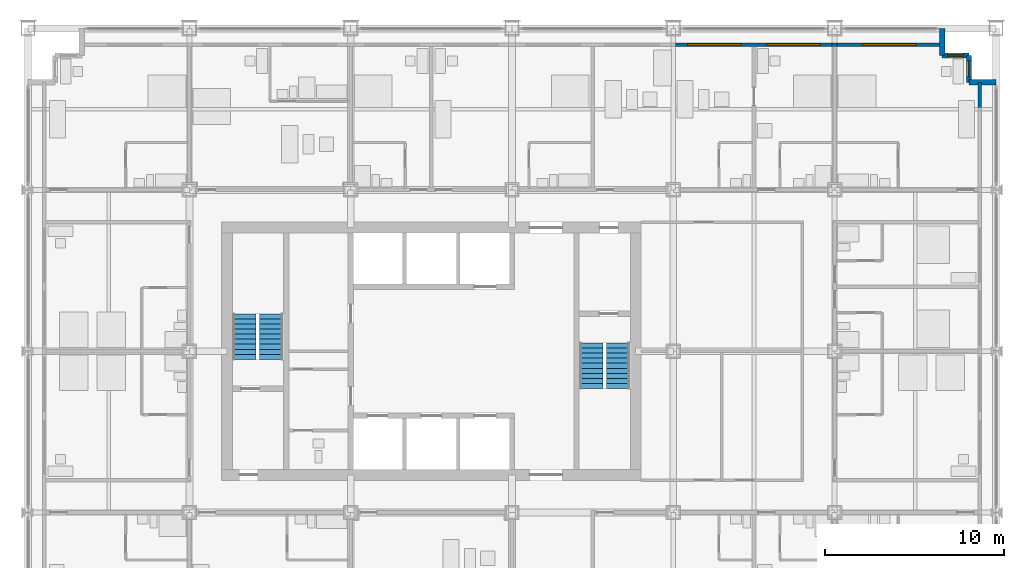
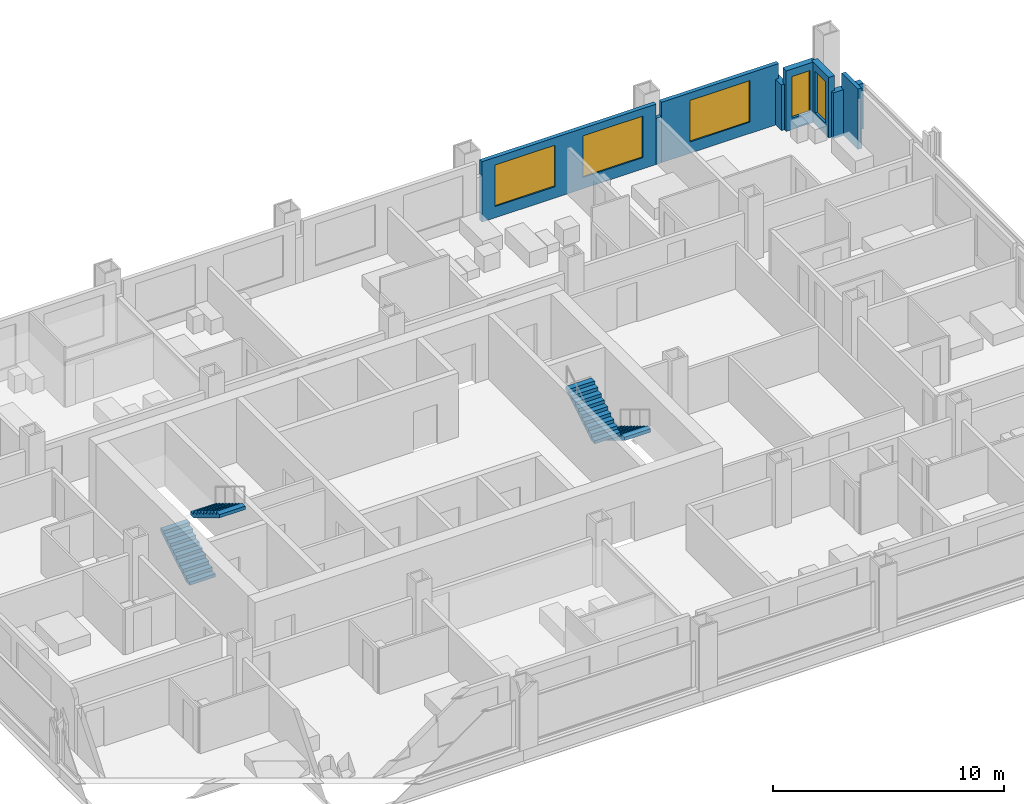
# One storey, part 15 of 18: 8 walls, 5 windows, 4 stair flights, 5 openings, 2 elements without a shape of their own.
"""IFC4 building model written with IfcOpenShell, lengths in metres."""

from ifc_helpers import new_model, si_unit, direction, frame, frame_2d, origin, place, context, subcontext, project, spatial, polyline, rectangle, outline, extrude, material, layer, layer_set, type_object, element, fill, aggregate, save


model = new_model("IFC4")

# Units and contexts
model_context = context("Model", 3, precision=1e-05, world=origin(), true_north=direction((0.0, 1.0)))
body_context = subcontext(model_context, "Body", "Model", "MODEL_VIEW")
ifc_project = project(units=[si_unit("LENGTHUNIT", "METRE"), si_unit("AREAUNIT", "SQUARE_METRE"), si_unit("VOLUMEUNIT", "CUBIC_METRE"), si_unit("PLANEANGLEUNIT", "RADIAN"), si_unit("MASSUNIT", "GRAM", prefix="KILO")], contexts=[model_context])

# Site, building, storey
site_placement = place(None, origin())
site = spatial("IfcSite", under=ifc_project, at=site_placement, CompositionType="ELEMENT")
building_placement = place(site_placement, origin())
building = spatial("IfcBuilding", under=site, at=building_placement, Name="Loomwork Tower", CompositionType="ELEMENT")
storey_placement = place(building_placement, frame((0.0, 0.0, 75.60009765625)))
storey = spatial("IfcBuildingStorey", under=building, at=storey_placement, Name="L19", CompositionType="ELEMENT", Elevation=75.60009765625)

# Wall, openings, windows
ifc_material_1 = material(Name="Insulated steel stud wall with gypsum lining", Category="steel")
ifc_layer_1 = layer(ifc_material_1, 0.199951171875)
ifc_layer_set_1 = layer_set([ifc_layer_1], Name="Inner skin wall 200")
wall_type_1 = type_object("IfcWallType", Name="Inner skin wall 200", PredefinedType="SOLIDWALL", material=ifc_layer_set_1)
wall_1_placement = place(storey_placement, frame((36.135498046875, 35.10009765625, 0.0), z_axis=(0.0, 0.0, 1.0), x_axis=(1.0, 0.0, 0.0)))
wall_1 = element("IfcWall", 1, at=wall_1_placement, inside=storey, type_object=wall_type_1, Name="Inner skin wall N bay 9", PredefinedType="SOLIDWALL", context=body_context, shape_type="SweptSolid", body=[
    extrude(rectangle(XDim=8.72900390625, YDim=0.199951171875, at=frame_2d((4.364501953125, 0.0))), origin(), (0.0, 0.0, 1.0), 3.199951171875),
])
opening_1_placement = place(wall_1_placement, frame((0.66455078125, 0.0, 0.60009765625)))
opening_1 = element("IfcOpeningElement", 2, at=opening_1_placement, cuts=wall_1, Name="Opening CH1", PredefinedType="OPENING", context=body_context, shape_type="SweptSolid", body=[
    extrude(rectangle(XDim=3.0, YDim=2.199951171875, at=frame_2d((1.5, 1.10009765625))), frame((0.0, 0.10986328125, 0.0), z_axis=(0.0, -1.0, 0.0), x_axis=(1.0, 0.0, 0.0)), (0.0, 0.0, 1.0), 0.219970703125),
])
opening_2_placement = place(wall_1_placement, frame((5.064697265625, 0.0, 0.60009765625)))
opening_2 = element("IfcOpeningElement", 3, at=opening_2_placement, cuts=wall_1, Name="Opening CH1", PredefinedType="OPENING", context=body_context, shape_type="SweptSolid", body=[
    extrude(rectangle(XDim=3.0, YDim=2.199951171875, at=frame_2d((1.5, 1.10009765625))), frame((0.0, 0.10986328125, 0.0), z_axis=(0.0, -1.0, 0.0), x_axis=(1.0, 0.0, 0.0)), (0.0, 0.0, 1.0), 0.219970703125),
])
ifc_material_2 = material(Name="Aluminium frame with clear insulated glass", Category="aluminium")
window_type_1 = type_object("IfcWindowType", Name="Chicago window 3000", PartitioningType="TRIPLE_PANEL_VERTICAL", PredefinedType="WINDOW", material=ifc_material_2)
window_1_placement = place(opening_1_placement, origin())
window_1 = element("IfcWindow", 4, at=window_1_placement, inside=storey, type_object=window_type_1, Name="Chicago window L19 bay 11", OverallHeight=2.199951171875, OverallWidth=3.0, PartitioningType="TRIPLE_PANEL_VERTICAL", PredefinedType="WINDOW", context=body_context, shape_type="SweptSolid", body=[
    extrude(rectangle(XDim=3.0, YDim=2.199951171875, at=frame_2d((1.5, 1.10009765625))), frame((0.0, 0.030029296875, 0.0), z_axis=(0.0, -1.0, 0.0), x_axis=(1.0, 0.0, 0.0)), (0.0, 0.0, 1.0), 0.06005859375),
])
fill(opening_1, window_1)
window_2_placement = place(opening_2_placement, origin())
window_2 = element("IfcWindow", 5, at=window_2_placement, inside=storey, type_object=window_type_1, Name="Chicago window L19 bay 11", OverallHeight=2.199951171875, OverallWidth=3.0, PartitioningType="TRIPLE_PANEL_VERTICAL", PredefinedType="WINDOW", context=body_context, shape_type="SweptSolid", body=[
    extrude(rectangle(XDim=3.0, YDim=2.199951171875, at=frame_2d((1.5, 1.10009765625))), frame((0.0, 0.030029296875, 0.0), z_axis=(0.0, -1.0, 0.0), x_axis=(1.0, 0.0, 0.0)), (0.0, 0.0, 1.0), 0.06005859375),
])
fill(opening_2, window_2)

# Wall
wall_2_placement = place(storey_placement, frame((44.864501953125, 35.10009765625, 0.0), z_axis=(0.0, 0.0, 1.0), x_axis=(1.0, 0.0, 0.0)))
element("IfcWall", 6, at=wall_2_placement, inside=storey, type_object=wall_type_1, Name="Inner skin wall N bay 10", PredefinedType="SOLIDWALL", context=body_context, shape_type="SweptSolid", body=[
    extrude(rectangle(XDim=0.27099609375, YDim=0.199951171875, at=frame_2d((0.135498046875, 0.0))), origin(), (0.0, 0.0, 1.0), 2.43798828125),
])

# Wall, opening, window
wall_3_placement = place(storey_placement, frame((45.135498046875, 35.10009765625, 0.0), z_axis=(0.0, 0.0, 1.0), x_axis=(1.0, 0.0, 0.0)))
wall_3 = element("IfcWall", 7, at=wall_3_placement, inside=storey, type_object=wall_type_1, Name="Inner skin wall N bay 11", PredefinedType="SOLIDWALL", context=body_context, shape_type="SweptSolid", body=[
    extrude(rectangle(XDim=5.864501953125, YDim=0.199951171875, at=frame_2d((2.93212890625, 0.0))), origin(), (0.0, 0.0, 1.0), 3.199951171875),
])
opening_3_placement = place(wall_3_placement, frame((1.41455078125, 0.0, 0.60009765625)))
opening_3 = element("IfcOpeningElement", 8, at=opening_3_placement, cuts=wall_3, Name="Opening CH1", PredefinedType="OPENING", context=body_context, shape_type="SweptSolid", body=[
    extrude(rectangle(XDim=3.0, YDim=2.199951171875, at=frame_2d((1.5, 1.10009765625))), frame((0.0, 0.10986328125, 0.0), z_axis=(0.0, -1.0, 0.0), x_axis=(1.0, 0.0, 0.0)), (0.0, 0.0, 1.0), 0.219970703125),
])
window_3_placement = place(opening_3_placement, origin())
window_3 = element("IfcWindow", 9, at=window_3_placement, inside=storey, type_object=window_type_1, Name="Chicago window L19 bay 12", OverallHeight=2.199951171875, OverallWidth=3.0, PartitioningType="TRIPLE_PANEL_VERTICAL", PredefinedType="WINDOW", context=body_context, shape_type="SweptSolid", body=[
    extrude(rectangle(XDim=3.0, YDim=2.199951171875, at=frame_2d((1.5, 1.10009765625))), frame((0.0, 0.030029296875, 0.0), z_axis=(0.0, -1.0, 0.0), x_axis=(1.0, 0.0, 0.0)), (0.0, 0.0, 1.0), 0.06005859375),
])
fill(opening_3, window_3)

# Walls
wall_4_placement = place(storey_placement, frame((53.10009765625, 31.607421875, 0.0), z_axis=(0.0, 0.0, 1.0), x_axis=(0.0, 1.0, 0.0)))
element("IfcWall", 10, at=wall_4_placement, inside=storey, type_object=wall_type_1, Name="Inner skin wall E bay 11", PredefinedType="SOLIDWALL", context=body_context, shape_type="SweptSolid", body=[
    extrude(rectangle(XDim=1.392578125, YDim=0.199951171875, at=frame_2d((0.6962890625, 0.0))), origin(), (0.0, 0.0, 1.0), 3.199951171875),
])
ifc_material_3 = material(Name="Limestone on concrete masonry", Category="masonry")
ifc_layer_2 = layer(ifc_material_3, 0.300048828125)
ifc_layer_set_2 = layer_set([ifc_layer_2], Name="Limestone corner wall 300")
wall_type_2 = type_object("IfcWallType", Name="Limestone corner wall 300", PredefinedType="SOLIDWALL", material=ifc_layer_set_2)
wall_5_placement = place(storey_placement, frame((54.0, 33.0, 0.0), z_axis=(0.0, 0.0, 1.0), x_axis=(-1.0, 0.0, 0.0)))
element("IfcWall", 11, at=wall_5_placement, inside=storey, type_object=wall_type_2, Name="Stone corner wall NE 1", PredefinedType="SOLIDWALL", context=body_context, shape_type="SweptSolid", body=[
    extrude(rectangle(XDim=1.5, YDim=0.300048828125, at=frame_2d((0.75, 0.0))), origin(), (0.0, 0.0, 1.0), 2.419921875),
])

# Wall, opening, window
wall_6_placement = place(storey_placement, frame((52.5, 33.0, 0.0), z_axis=(0.0, 0.0, 1.0), x_axis=(0.0, 1.0, 0.0)))
wall_6 = element("IfcWall", 12, at=wall_6_placement, inside=storey, type_object=wall_type_2, Name="Stone corner wall NE 2", PredefinedType="SOLIDWALL", context=body_context, shape_type="SweptSolid", body=[
    extrude(rectangle(XDim=1.5, YDim=0.300048828125, at=frame_2d((0.75, 0.0))), origin(), (0.0, 0.0, 1.0), 3.199951171875),
])
opening_4_placement = place(wall_6_placement, frame((0.300048828125, 0.0, 0.60009765625)))
opening_4 = element("IfcOpeningElement", 13, at=opening_4_placement, cuts=wall_6, Name="Opening CH2", PredefinedType="OPENING", context=body_context, shape_type="SweptSolid", body=[
    extrude(rectangle(XDim=0.89990234375, YDim=2.199951171875, at=frame_2d((0.449951171875, 1.10009765625))), frame((0.0, 0.159912109375, 0.0), z_axis=(0.0, -1.0, 0.0), x_axis=(1.0, 0.0, 0.0)), (0.0, 0.0, 1.0), 0.320068359375),
])
ifc_material_4 = material(Name="Aluminium frame with clear insulated glass", Category="aluminium")
window_type_2 = type_object("IfcWindowType", Name="Corner window 900", PartitioningType="SINGLE_PANEL", PredefinedType="WINDOW", material=ifc_material_4)
window_4_placement = place(opening_4_placement, origin())
window_4 = element("IfcWindow", 14, at=window_4_placement, inside=storey, type_object=window_type_2, Name="Corner window NE", OverallHeight=2.199951171875, OverallWidth=0.89990234375, PartitioningType="SINGLE_PANEL", PredefinedType="WINDOW", context=body_context, shape_type="SweptSolid", body=[
    extrude(rectangle(XDim=0.89990234375, YDim=2.199951171875, at=frame_2d((0.449951171875, 1.10009765625))), frame((0.0, 0.030029296875, 0.0), z_axis=(0.0, -1.0, 0.0), x_axis=(1.0, 0.0, 0.0)), (0.0, 0.0, 1.0), 0.06005859375),
])
fill(opening_4, window_4)

wall_7_placement = place(storey_placement, frame((52.5, 34.5, 0.0), z_axis=(0.0, 0.0, 1.0), x_axis=(-1.0, 0.0, 0.0)))
wall_7 = element("IfcWall", 15, at=wall_7_placement, inside=storey, type_object=wall_type_2, Name="Stone corner wall NE 3", PredefinedType="SOLIDWALL", context=body_context, shape_type="SweptSolid", body=[
    extrude(rectangle(XDim=1.5, YDim=0.300048828125, at=frame_2d((0.75, 0.0))), origin(), (0.0, 0.0, 1.0), 3.199951171875),
])
opening_5_placement = place(wall_7_placement, frame((0.300048828125, 0.0, 0.60009765625)))
opening_5 = element("IfcOpeningElement", 16, at=opening_5_placement, cuts=wall_7, Name="Opening CH2", PredefinedType="OPENING", context=body_context, shape_type="SweptSolid", body=[
    extrude(rectangle(XDim=0.89990234375, YDim=2.199951171875, at=frame_2d((0.449951171875, 1.10009765625))), frame((0.0, 0.159912109375, 0.0), z_axis=(0.0, -1.0, 0.0), x_axis=(1.0, 0.0, 0.0)), (0.0, 0.0, 1.0), 0.320068359375),
])
window_5_placement = place(opening_5_placement, origin())
window_5 = element("IfcWindow", 17, at=window_5_placement, inside=storey, type_object=window_type_2, Name="Corner window NE", OverallHeight=2.199951171875, OverallWidth=0.89990234375, PartitioningType="SINGLE_PANEL", PredefinedType="WINDOW", context=body_context, shape_type="SweptSolid", body=[
    extrude(rectangle(XDim=0.89990234375, YDim=2.199951171875, at=frame_2d((0.449951171875, 1.10009765625))), frame((0.0, 0.030029296875, 0.0), z_axis=(0.0, -1.0, 0.0), x_axis=(1.0, 0.0, 0.0)), (0.0, 0.0, 1.0), 0.06005859375),
])
fill(opening_5, window_5)

# Wall
wall_8_placement = place(storey_placement, frame((51.0, 34.5, 0.0), z_axis=(0.0, 0.0, 1.0), x_axis=(0.0, 1.0, 0.0)))
element("IfcWall", 18, at=wall_8_placement, inside=storey, type_object=wall_type_2, Name="Stone corner wall NE 4", PredefinedType="SOLIDWALL", context=body_context, shape_type="SweptSolid", body=[
    extrude(rectangle(XDim=1.5, YDim=0.300048828125, at=frame_2d((0.75, 0.0))), origin(), (0.0, 0.0, 1.0), 2.419921875),
])

# Stair, stair flights
ifc_material_5 = material(Name="Concrete 5000 psi (34 MPa) precast stair", Category="concrete")
stair_type_1 = type_object("IfcStairType", Name="Stair ST-A 20 risers 2850 wide", PredefinedType="HALF_TURN_STAIR", material=ifc_material_5)
stair_1_placement = place(storey_placement, origin())
stair_1 = element("IfcStair", 19, at=stair_1_placement, inside=storey, type_object=stair_type_1, Name="Stair A L19", PredefinedType="HALF_TURN_STAIR")
ifc_material_6 = material(Name="Concrete 5000 psi (34 MPa) precast stair", Category="concrete")
stair_flight_type_1 = type_object("IfcStairFlightType", Name="Stair flight ST-A 10 risers 1300 wide", PredefinedType="STRAIGHT", material=ifc_material_6)
stair_flight_1_placement = place(storey_placement, frame((12.074951171875, 17.550048828125, 0.0), z_axis=(0.0, 0.0, 1.0), x_axis=(0.0, 1.0, 0.0)))
stair_flight_1 = element("IfcStairFlight", 20, at=stair_flight_1_placement, type_object=stair_flight_type_1, Name="ST-A flight 1", NumberOfRisers=10, NumberOfTreads=9, PredefinedType="STRAIGHT", RiserHeight=0.17, TreadLength=0.28, context=body_context, shape_type="SweptSolid", body=[
    extrude(outline(polyline([(0.0, 0.0), (0.0, 0.169921875), (0.280029296875, 0.169921875), (0.280029296875, 0.340087890625), (0.56005859375, 0.340087890625), (0.56005859375, 0.510009765625), (0.840087890625, 0.510009765625), (0.840087890625, 0.679931640625), (1.1201171875, 0.679931640625), (1.1201171875, 0.85009765625), (1.39990234375, 0.85009765625), (1.39990234375, 1.02001953125), (1.679931640625, 1.02001953125), (1.679931640625, 1.18994140625), (1.9599609375, 1.18994140625), (1.9599609375, 1.360107421875), (2.239990234375, 1.360107421875), (2.239990234375, 1.530029296875), (2.52001953125, 1.530029296875), (2.52001953125, 1.699951171875), (2.52001953125, 1.354736328125), (0.288818359375, 0.0), (0.0, 0.0)])), frame((0.0, 0.64990234375, 0.0), z_axis=(0.0, -1.0, 0.0), x_axis=(1.0, 0.0, 0.0)), (0.0, 0.0, 1.0), 1.300048828125),
])
stair_flight_2_placement = place(storey_placement, frame((13.574951171875, 20.070068359375, 1.699951171875), z_axis=(0.0, 0.0, 1.0), x_axis=(0.0, -1.0, 0.0)))
stair_flight_2 = element("IfcStairFlight", 21, at=stair_flight_2_placement, type_object=stair_flight_type_1, Name="ST-A flight 2", NumberOfRisers=10, NumberOfTreads=9, PredefinedType="STRAIGHT", RiserHeight=0.17, TreadLength=0.28, context=body_context, shape_type="SweptSolid", body=[
    extrude(outline(polyline([(0.0, 0.0), (0.0, 0.169921875), (0.280029296875, 0.169921875), (0.280029296875, 0.340087890625), (0.56005859375, 0.340087890625), (0.56005859375, 0.510009765625), (0.840087890625, 0.510009765625), (0.840087890625, 0.679931640625), (1.1201171875, 0.679931640625), (1.1201171875, 0.85009765625), (1.39990234375, 0.85009765625), (1.39990234375, 1.02001953125), (1.679931640625, 1.02001953125), (1.679931640625, 1.18994140625), (1.9599609375, 1.18994140625), (1.9599609375, 1.360107421875), (2.239990234375, 1.360107421875), (2.239990234375, 1.530029296875), (2.52001953125, 1.530029296875), (2.52001953125, 1.699951171875), (2.52001953125, 1.354736328125), (0.288818359375, 0.0), (0.0, 0.0)])), frame((0.0, 0.64990234375, 0.0), z_axis=(0.0, -1.0, 0.0), x_axis=(1.0, 0.0, 0.0)), (0.0, 0.0, 1.0), 1.300048828125),
])
aggregate(stair_1, [stair_flight_1, stair_flight_2])

ifc_material_7 = material(Name="Concrete 5000 psi (34 MPa) precast stair", Category="concrete")
stair_type_2 = type_object("IfcStairType", Name="Stair ST-B 20 risers 2850 wide", PredefinedType="HALF_TURN_STAIR", material=ifc_material_7)
stair_2_placement = place(storey_placement, origin())
stair_2 = element("IfcStair", 22, at=stair_2_placement, inside=storey, type_object=stair_type_2, Name="Stair B L19", PredefinedType="HALF_TURN_STAIR")
ifc_material_8 = material(Name="Concrete 5000 psi (34 MPa) precast stair", Category="concrete")
stair_flight_type_2 = type_object("IfcStairFlightType", Name="Stair flight ST-B 10 risers 1300 wide", PredefinedType="STRAIGHT", material=ifc_material_8)
stair_flight_3_placement = place(storey_placement, frame((32.925048828125, 18.449951171875, 0.0), z_axis=(0.0, 0.0, 1.0), x_axis=(0.0, -1.0, 0.0)))
stair_flight_3 = element("IfcStairFlight", 23, at=stair_flight_3_placement, type_object=stair_flight_type_2, Name="ST-B flight 1", NumberOfRisers=10, NumberOfTreads=9, PredefinedType="STRAIGHT", RiserHeight=0.17, TreadLength=0.28, context=body_context, shape_type="SweptSolid", body=[
    extrude(outline(polyline([(0.0, 0.0), (0.0, 0.169921875), (0.280029296875, 0.169921875), (0.280029296875, 0.340087890625), (0.56005859375, 0.340087890625), (0.56005859375, 0.510009765625), (0.840087890625, 0.510009765625), (0.840087890625, 0.679931640625), (1.1201171875, 0.679931640625), (1.1201171875, 0.85009765625), (1.39990234375, 0.85009765625), (1.39990234375, 1.02001953125), (1.679931640625, 1.02001953125), (1.679931640625, 1.18994140625), (1.9599609375, 1.18994140625), (1.9599609375, 1.360107421875), (2.239990234375, 1.360107421875), (2.239990234375, 1.530029296875), (2.52001953125, 1.530029296875), (2.52001953125, 1.699951171875), (2.52001953125, 1.354736328125), (0.288818359375, 0.0), (0.0, 0.0)])), frame((0.0, 0.64990234375, 0.0), z_axis=(0.0, -1.0, 0.0), x_axis=(1.0, 0.0, 0.0)), (0.0, 0.0, 1.0), 1.300048828125),
])
stair_flight_4_placement = place(storey_placement, frame((31.425048828125, 15.929931640625, 1.699951171875), z_axis=(0.0, 0.0, 1.0), x_axis=(0.0, 1.0, 0.0)))
stair_flight_4 = element("IfcStairFlight", 24, at=stair_flight_4_placement, type_object=stair_flight_type_2, Name="ST-B flight 2", NumberOfRisers=10, NumberOfTreads=9, PredefinedType="STRAIGHT", RiserHeight=0.17, TreadLength=0.28, context=body_context, shape_type="SweptSolid", body=[
    extrude(outline(polyline([(0.0, 0.0), (0.0, 0.169921875), (0.280029296875, 0.169921875), (0.280029296875, 0.340087890625), (0.56005859375, 0.340087890625), (0.56005859375, 0.510009765625), (0.840087890625, 0.510009765625), (0.840087890625, 0.679931640625), (1.1201171875, 0.679931640625), (1.1201171875, 0.85009765625), (1.39990234375, 0.85009765625), (1.39990234375, 1.02001953125), (1.679931640625, 1.02001953125), (1.679931640625, 1.18994140625), (1.9599609375, 1.18994140625), (1.9599609375, 1.360107421875), (2.239990234375, 1.360107421875), (2.239990234375, 1.530029296875), (2.52001953125, 1.530029296875), (2.52001953125, 1.699951171875), (2.52001953125, 1.354736328125), (0.288818359375, 0.0), (0.0, 0.0)])), frame((0.0, 0.64990234375, 0.0), z_axis=(0.0, -1.0, 0.0), x_axis=(1.0, 0.0, 0.0)), (0.0, 0.0, 1.0), 1.300048828125),
])
aggregate(stair_2, [stair_flight_3, stair_flight_4])

save(model, "model.ifc")
